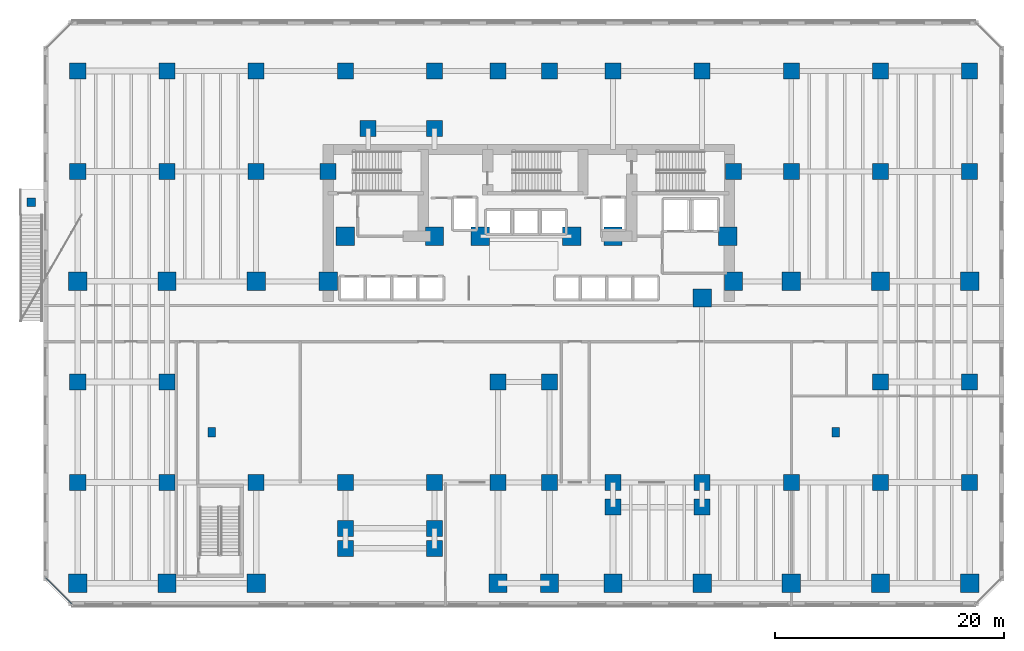
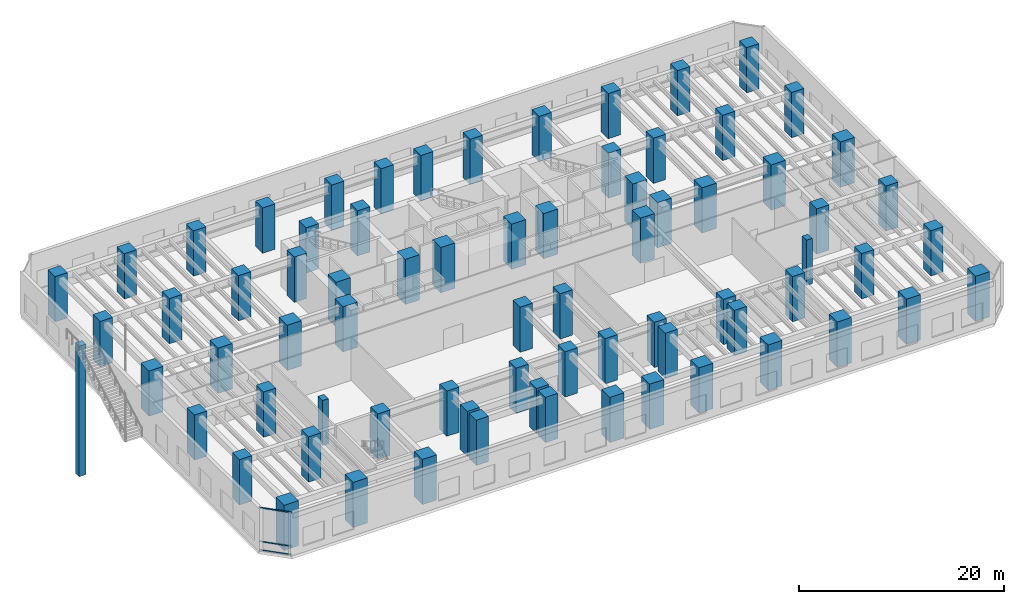
# One storey, part 1 of 21: 74 columns, 3 members, 1 element without a shape of its own.
"""IFC4 building model written with IfcOpenShell, lengths in metres."""

import ifcopenshell
import ifcopenshell.guid

model = None  # the IFC model being written
_history = None  # IfcOwnerHistory: only IFC2X3 demands one
_inside = {}  # id of a spatial element -> (the spatial element, [elements in it])
_under = {}  # id of a project, library or spatial element -> (it, [spatial elements below it])
_declared = {}  # id of a project -> (the project, [libraries it declares])
_typed = {}  # id of a type object -> (the type object, [elements of that type])
_made_of = {}  # id of a material, layer set ... -> (it, [elements and type objects made of it])


def new_model(schema):
    """Start an empty IFC model of exactly this schema.

    Asked for "IFC4X3", IfcOpenShell would pick the latest addendum, in which some entities
    have other attributes; the version numbers below select the first issue.
    IFC2X3 requires an IfcOwnerHistory on every rooted entity: one is made here for all.
    """
    global model, _history
    if schema == "IFC4X3":
        model = ifcopenshell.file(schema_version=(4, 3, 0, 0))
    else:
        model = ifcopenshell.file(schema=schema)
    _inside.clear()
    _under.clear()
    _declared.clear()
    _typed.clear()
    _made_of.clear()
    _history = None
    if model.schema == "IFC2X3":
        org = make("IfcOrganization", Name="unknown")
        user = make(
            "IfcPersonAndOrganization",
            ThePerson=make("IfcPerson", FamilyName="unknown"),
            TheOrganization=org,
        )
        app = make(
            "IfcApplication",
            ApplicationDeveloper=org,
            Version="unknown",
            ApplicationFullName="unknown",
            ApplicationIdentifier="unknown",
        )
        _history = make(
            "IfcOwnerHistory",
            OwningUser=user,
            OwningApplication=app,
            ChangeAction="ADDED",
            CreationDate=0,
        )
    return model


def make(cls, **values):
    """One entity of the class cls with the attributes given. An attribute that is None is left unset."""
    return model.create_entity(
        cls, **{name: value for name, value in values.items() if value is not None}
    )


def rooted(cls, **values):
    """An entity with a GlobalId (a new one), such as an element, a storey or a relation."""
    return make(cls, GlobalId=ifcopenshell.guid.new(), OwnerHistory=_history, **values)


def si_unit(unit_type, name, prefix=None):
    """IfcSIUnit, for example si_unit("LENGTHUNIT", "METRE", prefix="MILLI")."""
    return make("IfcSIUnit", UnitType=unit_type, Prefix=prefix, Name=name)


def assignment(units):
    """IfcUnitAssignment: the units of a project."""
    return None if units is None else make("IfcUnitAssignment", Units=units)


def point(xyz):
    """IfcCartesianPoint."""
    return None if xyz is None else make("IfcCartesianPoint", Coordinates=xyz)


def direction(xyz):
    """IfcDirection."""
    return None if xyz is None else make("IfcDirection", DirectionRatios=xyz)


def frame(location, z_axis=None, x_axis=None):
    """IfcAxis2Placement3D, a coordinate frame: its origin and axes. An axis left out is left unset."""
    return make(
        "IfcAxis2Placement3D",
        Location=point(location),
        Axis=direction(z_axis),
        RefDirection=direction(x_axis),
    )


def frame_2d(location, x_axis=None):
    """IfcAxis2Placement2D, a coordinate frame in the plane: its origin and x axis."""
    return make(
        "IfcAxis2Placement2D", Location=point(location), RefDirection=direction(x_axis)
    )


def origin():
    """The frame at (0, 0, 0) with its axes left unset."""
    return frame((0.0, 0.0, 0.0))


def origin_2d():
    """The frame at (0, 0) in the plane with its x axis left unset."""
    return frame_2d((0.0, 0.0))


def place(relative_to, where):
    """IfcLocalPlacement: puts the frame where relative to a parent placement (None: the world)."""
    return make(
        "IfcLocalPlacement", PlacementRelTo=relative_to, RelativePlacement=where
    )


def context(
    kind, dimensions, precision=None, world=None, true_north=None, identifier=None
):
    """IfcGeometricRepresentationContext, for example the 3D "Model" context."""
    return make(
        "IfcGeometricRepresentationContext",
        ContextIdentifier=identifier,
        ContextType=kind,
        CoordinateSpaceDimension=dimensions,
        Precision=precision,
        WorldCoordinateSystem=world,
        TrueNorth=true_north,
    )


def subcontext(parent, identifier, kind, view, scale=None):
    """IfcGeometricRepresentationSubContext, for example "Body" below "Model"."""
    return make(
        "IfcGeometricRepresentationSubContext",
        ContextIdentifier=identifier,
        ContextType=kind,
        ParentContext=parent,
        TargetScale=scale,
        TargetView=view,
    )


def project(units=None, contexts=None):
    """IfcProject with its units and contexts."""
    return rooted(
        "IfcProject",
        Name="project",
        RepresentationContexts=contexts,
        UnitsInContext=assignment(units),
    )


def spatial(cls, under=None, at=None, **own):
    """A site, building, storey or space (cls), placed at a placement, below another one or the project."""
    s = rooted(cls, ObjectPlacement=at, **own)
    if under is not None:
        _under.setdefault(under.id(), (under, []))[1].append(s)
    return s


def profile(cls, at=None, kind="AREA", **sizes):
    """A parametric profile (cls). Its sizes go by their IFC names, for example OverallWidth=200.0."""
    return make(cls, ProfileType=kind, Position=at, **sizes)


def rectangle(**sizes):
    """IfcRectangleProfileDef."""
    return profile("IfcRectangleProfileDef", **sizes)


def hollow_rectangle(**sizes):
    """IfcRectangleHollowProfileDef."""
    return profile("IfcRectangleHollowProfileDef", **sizes)


def extrude(swept, where, along, depth):
    """IfcExtrudedAreaSolid: the profile swept, set in the frame where, extruded along a direction by depth."""
    return make(
        "IfcExtrudedAreaSolid",
        SweptArea=swept,
        Position=where,
        ExtrudedDirection=direction(along),
        Depth=depth,
    )


def shape(context_of_items, identifier, shape_type, items):
    """IfcShapeRepresentation: the items that make up one representation, for example the "Body"."""
    return make(
        "IfcShapeRepresentation",
        ContextOfItems=context_of_items,
        RepresentationIdentifier=identifier,
        RepresentationType=shape_type,
        Items=items,
    )


def material(Name=None, Category=None):
    """IfcMaterial."""
    return make("IfcMaterial", Name=Name, Category=Category)


def layer(
    of_material, thickness, ventilated=None, Name=None, Category=None, Priority=None
):
    """IfcMaterialLayer: one layer of a wall or slab, of a material (None: an air gap)."""
    return make(
        "IfcMaterialLayer",
        Material=of_material,
        LayerThickness=thickness,
        IsVentilated=ventilated,
        Name=Name,
        Category=Category,
        Priority=Priority,
    )


def layer_set(layers, Name=None):
    """IfcMaterialLayerSet."""
    return make("IfcMaterialLayerSet", MaterialLayers=layers, LayerSetName=Name)


def material_profile(
    of_material, cross_section, Name=None, Category=None, Priority=None
):
    """IfcMaterialProfile: a cross section and its material."""
    return make(
        "IfcMaterialProfile",
        Name=Name,
        Material=of_material,
        Profile=cross_section,
        Priority=Priority,
        Category=Category,
    )


def profile_set(profiles, Name=None, composite=None):
    """IfcMaterialProfileSet."""
    return make(
        "IfcMaterialProfileSet",
        Name=Name,
        MaterialProfiles=profiles,
        CompositeProfile=composite,
    )


def made_of(thing, what):
    """Note that an element or type object is made of a material, layer set ...; save() writes the relation."""
    if what is not None:
        _made_of.setdefault(what.id(), (what, []))[1].append(thing)
    return thing


def type_object(cls, material=None, **own):
    """A type object (cls), such as IfcWallType, which elements share."""
    return made_of(rooted(cls, **own), material)


def element(
    cls,
    number,
    at=None,
    inside=None,
    cuts=None,
    type_object=None,
    material=None,
    context=None,
    identifier="Body",
    shape_type=None,
    held_by="IfcProductDefinitionShape",
    body=None,
    shapes=None,
    **own,
):
    """One element of the class cls, such as IfcWall. Its Tag is "e" and its number.

    at: its placement. inside: the storey or other place that contains it. cuts: it is an
    opening in that element (IfcRelVoidsElement). A single representation is given by context,
    identifier, shape_type and body (its items); several are given by shapes. held_by: the class
    of the entity that holds the representations. save() writes the other relations.
    """
    e = rooted(cls, Tag="e%d" % number, ObjectPlacement=at, **own)
    if body is not None:
        shapes = [shape(context, identifier, shape_type, body)]
    if shapes is not None:
        e.Representation = make(held_by, Representations=shapes)
    if inside is not None:
        _inside.setdefault(inside.id(), (inside, []))[1].append(e)
    if cuts is not None:
        rooted(
            "IfcRelVoidsElement", RelatingBuildingElement=cuts, RelatedOpeningElement=e
        )
    if type_object is not None:
        _typed.setdefault(type_object.id(), (type_object, []))[1].append(e)
    return made_of(e, material)


def aggregate(whole, parts):
    """IfcRelAggregates: a whole, such as a stair, and the parts it consists of."""
    return rooted("IfcRelAggregates", RelatingObject=whole, RelatedObjects=parts)


def save(model, path):
    """Write the relations noted so far, then the file.

    IfcRelAggregates (storeys below a building ...), IfcRelContainedInSpatialStructure (elements
    in a storey), IfcRelDefinesByType, IfcRelAssociatesMaterial and IfcRelDeclares: one each for
    every whole, place, type object, material and project.
    """
    for whole, parts in _under.values():
        aggregate(whole, parts)
    for where, things in _inside.values():
        rooted(
            "IfcRelContainedInSpatialStructure",
            RelatedElements=things,
            RelatingStructure=where,
        )
    for kind, things in _typed.values():
        rooted("IfcRelDefinesByType", RelatedObjects=things, RelatingType=kind)
    for what, things in _made_of.values():
        rooted("IfcRelAssociatesMaterial", RelatedObjects=things, RelatingMaterial=what)
    for by, libraries in _declared.values():
        rooted("IfcRelDeclares", RelatingContext=by, RelatedDefinitions=libraries)
    model.write(path)


model = new_model("IFC4")

# Units and contexts
model_context = context("Model", 3, precision=1e-05, world=origin(), true_north=direction((0.0, 1.0)))
body_context = subcontext(model_context, "Body", "Model", "MODEL_VIEW")
ifc_project = project(units=[si_unit("LENGTHUNIT", "METRE"), si_unit("AREAUNIT", "SQUARE_METRE"), si_unit("VOLUMEUNIT", "CUBIC_METRE"), si_unit("PLANEANGLEUNIT", "RADIAN"), si_unit("MASSUNIT", "GRAM", prefix="KILO")], contexts=[model_context])

# Site, building, storey
site_placement = place(None, origin())
site = spatial("IfcSite", under=ifc_project, at=site_placement, CompositionType="ELEMENT")
building_placement = place(site_placement, origin())
building = spatial("IfcBuilding", under=site, at=building_placement, Name="Kestravale Grand Hotel", CompositionType="ELEMENT")
storey_placement = place(building_placement, frame((0.0, 0.0, 10.39990234375)))
storey = spatial("IfcBuildingStorey", under=building, at=storey_placement, Name="L02", CompositionType="ELEMENT", Elevation=10.39990234375)

# Columns
ifc_material_1 = material(Name="Concrete f'c 70 MPa", Category="concrete")
ifc_material_profile_1 = material_profile(ifc_material_1, rectangle(XDim=1.39990234375, YDim=1.39990234375, at=origin_2d()))
ifc_profile_set_1 = profile_set([ifc_material_profile_1], Name="Concrete f'c 70 MPa")
column_type_1 = type_object("IfcColumnType", Name="C-Z1-1400", PredefinedType="COLUMN", material=ifc_profile_set_1)
for number, where, z_axis, x_axis, name in (
    (1, (0.0, 11.199951171875, 0.0), (0.0, 0.0, 1.0), (1.0, 0.0, 0.0), "L02 column 1-C"),
    (2, (0.0, 20.0, 0.0), (0.0, 0.0, 1.0), (1.0, 0.0, 0.0), "L02 column 1-D"),
    (3, (0.0, 38.39990234375, 0.0), (0.0, 0.0, 1.0), (1.0, 0.0, 0.0), "L02 column 1-F"),
    (4, (0.0, 47.199951171875, 0.0), (0.0, 0.0, 1.0), (1.0, 0.0, 0.0), "L02 column 1-G"),
    (5, (7.800048828125, 11.199951171875, 0.0), (0.0, 0.0, 1.0), (1.0, 0.0, 0.0), "L02 column 2-C"),
    (6, (7.800048828125, 20.0, 0.0), (0.0, 0.0, 1.0), (1.0, 0.0, 0.0), "L02 column 2-D"),
    (7, (7.800048828125, 38.39990234375, 0.0), (0.0, 0.0, 1.0), (1.0, 0.0, 0.0), "L02 column 2-F"),
    (8, (7.800048828125, 47.199951171875, 0.0), (0.0, 0.0, 1.0), (1.0, 0.0, 0.0), "L02 column 2-G"),
    (9, (15.60009765625, 11.199951171875, 0.0), (0.0, 0.0, 1.0), (1.0, 0.0, 0.0), "L02 column 3-C"),
    (10, (15.60009765625, 38.39990234375, 0.0), (0.0, 0.0, 1.0), (1.0, 0.0, 0.0), "L02 column 3-F"),
    (11, (15.60009765625, 47.199951171875, 0.0), (0.0, 0.0, 1.0), (1.0, 0.0, 0.0), "L02 column 3-G"),
    (12, (23.39990234375, 11.199951171875, 0.0), (0.0, 0.0, 1.0), (1.0, 0.0, 0.0), "L02 column 4-C"),
    (13, (23.39990234375, 47.199951171875, 0.0), (0.0, 0.0, 1.0), (1.0, 0.0, 0.0), "L02 column 4-G"),
    (14, (31.199951171875, 11.199951171875, 0.0), (0.0, 0.0, 1.0), (1.0, 0.0, 0.0), "L02 column 5-C"),
    (15, (31.199951171875, 47.199951171875, 0.0), (0.0, 0.0, 1.0), (1.0, 0.0, 0.0), "L02 column 5-G"),
    (16, (36.75, 11.199951171875, 0.0), (0.0, 0.0, 1.0), (1.0, 0.0, 0.0), "L02 column 6-C"),
    (17, (36.75, 20.0, 0.0), (0.0, 0.0, 1.0), (1.0, 0.0, 0.0), "L02 column 6-D"),
    (18, (36.75, 47.199951171875, 0.0), (0.0, 0.0, 1.0), (1.0, 0.0, 0.0), "L02 column 6-G"),
    (19, (41.25, 11.199951171875, 0.0), (0.0, 0.0, 1.0), (1.0, 0.0, 0.0), "L02 column 7-C"),
    (20, (41.25, 20.0, 0.0), (0.0, 0.0, 1.0), (1.0, 0.0, 0.0), "L02 column 7-D"),
    (21, (41.25, 47.199951171875, 0.0), (0.0, 0.0, 1.0), (1.0, 0.0, 0.0), "L02 column 7-G"),
    (22, (46.800048828125, 11.199951171875, 0.0), (0.0, 0.0, 1.0), (1.0, 0.0, 0.0), "L02 column 8-C"),
    (23, (46.800048828125, 47.199951171875, 0.0), (0.0, 0.0, 1.0), (1.0, 0.0, 0.0), "L02 column 8-G"),
    (24, (54.60009765625, 11.199951171875, 0.0), (0.0, 0.0, 1.0), (1.0, 0.0, 0.0), "L02 column 9-C"),
    (25, (54.60009765625, 47.199951171875, 0.0), (0.0, 0.0, 1.0), (1.0, 0.0, 0.0), "L02 column 9-G"),
    (26, (62.39990234375, 11.199951171875, 0.0), (0.0, 0.0, 1.0), (1.0, 0.0, 0.0), "L02 column 10-C"),
    (27, (62.39990234375, 38.39990234375, 0.0), (0.0, 0.0, 1.0), (1.0, 0.0, 0.0), "L02 column 10-F"),
    (28, (62.39990234375, 47.199951171875, 0.0), (0.0, 0.0, 1.0), (1.0, 0.0, 0.0), "L02 column 10-G"),
    (29, (70.199951171875, 11.199951171875, 0.0), (0.0, 0.0, 1.0), (1.0, 0.0, 0.0), "L02 column 11-C"),
    (30, (70.199951171875, 20.0, 0.0), (0.0, 0.0, 1.0), (1.0, 0.0, 0.0), "L02 column 11-D"),
    (31, (70.199951171875, 38.39990234375, 0.0), (0.0, 0.0, 1.0), (1.0, 0.0, 0.0), "L02 column 11-F"),
    (32, (70.199951171875, 47.199951171875, 0.0), (0.0, 0.0, 1.0), (1.0, 0.0, 0.0), "L02 column 11-G"),
    (33, (78.0, 11.199951171875, 0.0), (0.0, 0.0, 1.0), (1.0, 0.0, 0.0), "L02 column 12-C"),
    (34, (78.0, 20.0, 0.0), (0.0, 0.0, 1.0), (1.0, 0.0, 0.0), "L02 column 12-D"),
    (35, (78.0, 38.39990234375, 0.0), (0.0, 0.0, 1.0), (1.0, 0.0, 0.0), "L02 column 12-F"),
    (36, (78.0, 47.199951171875, 0.0), (0.0, 0.0, 1.0), (1.0, 0.0, 0.0), "L02 column 12-G"),
    (37, (21.89990234375, 38.39990234375, 0.0), (0.0, 0.0, 1.0), (1.0, 0.0, 0.0), "L02 column CW-F"),
    (38, (57.35009765625, 38.39990234375, 0.0), (0.0, 0.0, 1.0), (1.0, 0.0, 0.0), "L02 column CE-F"),
    (39, (23.39990234375, 7.199951171875, 0.0), (0.0, 0.0, 1.0), (1.0, 0.0, 0.0), "L02 column 4-BS"),
    (40, (31.199951171875, 7.199951171875, 0.0), (0.0, 0.0, 1.0), (1.0, 0.0, 0.0), "L02 column 5-BS"),
    (41, (25.39990234375, 42.14990234375, 0.0), (0.0, 0.0, 1.0), (1.0, 0.0, 0.0), "L02 column 4-FN"),
    (42, (31.199951171875, 42.14990234375, 0.0), (0.0, 0.0, 1.0), (1.0, 0.0, 0.0), "L02 column 5-FN"),
    (43, (23.39990234375, 5.449951171875, 0.0), (0.0, 0.0, 1.0), (1.0, 0.0, 0.0), "L02 column 4-B1S"),
    (44, (31.199951171875, 5.449951171875, 0.0), (0.0, 0.0, 1.0), (1.0, 0.0, 0.0), "L02 column 5-B1S"),
    (45, (46.800048828125, 9.050048828125, 0.0), (0.0, 0.0, 1.0), (1.0, 0.0, 0.0), "L02 column 8-B1E"),
    (46, (54.60009765625, 9.050048828125, 0.0), (0.0, 0.0, 1.0), (1.0, 0.0, 0.0), "L02 column 9-B1E"),
):
    element("IfcColumn", number, at=place(storey_placement, frame(where, z_axis=z_axis, x_axis=x_axis)), inside=storey, type_object=column_type_1, Name=name, PredefinedType="COLUMN", context=body_context, shape_type="SweptSolid", body=[
        extrude(rectangle(XDim=1.39990234375, YDim=1.39990234375, at=origin_2d()), origin(), (0.0, 0.0, 1.0), 5.400146484375),
    ])
ifc_material_2 = material(Name="Concrete f'c 70 MPa", Category="concrete")
ifc_material_profile_2 = material_profile(ifc_material_2, rectangle(XDim=1.60009765625, YDim=1.60009765625, at=origin_2d()))
ifc_profile_set_2 = profile_set([ifc_material_profile_2], Name="Concrete f'c 70 MPa")
column_type_2 = type_object("IfcColumnType", Name="C-Z1-1600", PredefinedType="COLUMN", material=ifc_profile_set_2)
for number, where, z_axis, x_axis, name in (
    (47, (0.0, 2.39990234375, 0.0), (0.0, 0.0, 1.0), (1.0, 0.0, 0.0), "L02 column 1-B"),
    (48, (0.0, 28.800048828125, 0.0), (0.0, 0.0, 1.0), (1.0, 0.0, 0.0), "L02 column 1-E"),
    (49, (7.800048828125, 2.39990234375, 0.0), (0.0, 0.0, 1.0), (1.0, 0.0, 0.0), "L02 column 2-B"),
    (50, (7.800048828125, 28.800048828125, 0.0), (0.0, 0.0, 1.0), (1.0, 0.0, 0.0), "L02 column 2-E"),
    (51, (15.60009765625, 2.39990234375, 0.0), (0.0, 0.0, 1.0), (1.0, 0.0, 0.0), "L02 column 3-B"),
    (52, (15.60009765625, 28.800048828125, 0.0), (0.0, 0.0, 1.0), (1.0, 0.0, 0.0), "L02 column 3-E"),
    (53, (36.75, 2.39990234375, 0.0), (0.0, 0.0, 1.0), (1.0, 0.0, 0.0), "L02 column 6-B"),
    (54, (41.25, 2.39990234375, 0.0), (0.0, 0.0, 1.0), (1.0, 0.0, 0.0), "L02 column 7-B"),
    (55, (46.800048828125, 2.39990234375, 0.0), (0.0, 0.0, 1.0), (1.0, 0.0, 0.0), "L02 column 8-B"),
    (56, (54.60009765625, 2.39990234375, 0.0), (0.0, 0.0, 1.0), (1.0, 0.0, 0.0), "L02 column 9-B"),
    (57, (62.39990234375, 2.39990234375, 0.0), (0.0, 0.0, 1.0), (1.0, 0.0, 0.0), "L02 column 10-B"),
    (58, (62.39990234375, 28.800048828125, 0.0), (0.0, 0.0, 1.0), (1.0, 0.0, 0.0), "L02 column 10-E"),
    (59, (70.199951171875, 2.39990234375, 0.0), (0.0, 0.0, 1.0), (1.0, 0.0, 0.0), "L02 column 11-B"),
    (60, (70.199951171875, 28.800048828125, 0.0), (0.0, 0.0, 1.0), (1.0, 0.0, 0.0), "L02 column 11-E"),
    (61, (78.0, 2.39990234375, 0.0), (0.0, 0.0, 1.0), (1.0, 0.0, 0.0), "L02 column 12-B"),
    (62, (78.0, 28.800048828125, 0.0), (0.0, 0.0, 1.0), (1.0, 0.0, 0.0), "L02 column 12-E"),
    (63, (21.89990234375, 28.800048828125, 0.0), (0.0, 0.0, 1.0), (1.0, 0.0, 0.0), "L02 column CW-E"),
    (64, (57.35009765625, 28.800048828125, 0.0), (0.0, 0.0, 1.0), (1.0, 0.0, 0.0), "L02 column CE-E"),
    (65, (23.39990234375, 32.75, 0.0), (0.0, 0.0, 1.0), (1.0, 0.0, 0.0), "L02 column 4-CS"),
    (66, (31.199951171875, 32.75, 0.0), (0.0, 0.0, 1.0), (1.0, 0.0, 0.0), "L02 column 5-CS"),
    (67, (35.199951171875, 32.75, 0.0), (0.0, 0.0, 1.0), (1.0, 0.0, 0.0), "L02 column 6C-CS"),
    (68, (43.199951171875, 32.75, 0.0), (0.0, 0.0, 1.0), (1.0, 0.0, 0.0), "L02 column 7C-CS"),
    (69, (46.800048828125, 32.75, 0.0), (0.0, 0.0, 1.0), (1.0, 0.0, 0.0), "L02 column 8-CS"),
    (70, (54.60009765625, 27.35009765625, 0.0), (0.0, 0.0, 1.0), (1.0, 0.0, 0.0), "L02 column 9-CS"),
    (71, (56.85009765625, 32.75, 0.0), (0.0, 0.0, 1.0), (1.0, 0.0, 0.0), "L02 column 9C-CS"),
):
    element("IfcColumn", number, at=place(storey_placement, frame(where, z_axis=z_axis, x_axis=x_axis)), inside=storey, type_object=column_type_2, Name=name, PredefinedType="COLUMN", context=body_context, shape_type="SweptSolid", body=[
        extrude(rectangle(XDim=1.60009765625, YDim=1.60009765625, at=origin_2d()), origin(), (0.0, 0.0, 1.0), 5.400146484375),
    ])
ifc_material_3 = material(Name="Precast concrete f'c 45 MPa", Category="concrete")
ifc_material_profile_3 = material_profile(ifc_material_3, rectangle(XDim=0.64990234375, YDim=0.85009765625, at=origin_2d()))
ifc_profile_set_3 = profile_set([ifc_material_profile_3], Name="Precast concrete f'c 45 MPa")
column_type_3 = type_object("IfcColumnType", Name="C-Z1-PIL850", PredefinedType="PILASTER", material=ifc_profile_set_3)
for number, where, z_axis, x_axis, name in (
    (72, (11.699951171875, 15.60009765625, 0.0), (0.0, 0.0, 1.0), (1.0, 0.0, 0.0), "L02 Art Deco fluted pilaster P1"),
    (73, (66.300048828125, 15.60009765625, 0.0), (0.0, 0.0, 1.0), (1.0, 0.0, 0.0), "L02 Art Deco fluted pilaster P2"),
):
    element("IfcColumn", number, at=place(storey_placement, frame(where, z_axis=z_axis, x_axis=x_axis)), inside=storey, type_object=column_type_3, Name=name, PredefinedType="PILASTER", context=body_context, shape_type="SweptSolid", body=[
        extrude(rectangle(XDim=0.64990234375, YDim=0.85009765625, at=origin_2d()), origin(), (0.0, 0.0, 1.0), 5.400146484375),
    ])
ifc_material_4 = material(Name="Concrete f'c 50 MPa", Category="concrete")
ifc_material_profile_4 = material_profile(ifc_material_4, rectangle(XDim=0.75, YDim=0.75, at=origin_2d()))
ifc_profile_set_4 = profile_set([ifc_material_profile_4], Name="Concrete f'c 50 MPa")
column_type_4 = type_object("IfcColumnType", Name="C-Z4-750", PredefinedType="COLUMN", material=ifc_profile_set_4)
column_placement = place(storey_placement, frame((-4.050048828125, 35.719970703125, -10.39990234375), z_axis=(0.0, 0.0, 1.0), x_axis=(1.0, 0.0, 0.0)))
element("IfcColumn", 74, at=column_placement, inside=storey, type_object=column_type_4, Name="Garden stair 3 pier column", PredefinedType="COLUMN", context=body_context, shape_type="SweptSolid", body=[
    extrude(rectangle(XDim=0.75, YDim=0.75, at=origin_2d()), origin(), (0.0, 0.0, 1.0), 15.550048828125),
])

# Curtain wall, members
ifc_material_5 = material(Name="Thermally broken champagne-bronze aluminium and low-E glazing", Category="aluminium")
ifc_layer = layer(ifc_material_5, 0.239990234375)
ifc_layer_set = layer_set([ifc_layer], Name="CW-POD")
curtain_wall_type = type_object("IfcCurtainWallType", Name="CW-POD", PredefinedType="NOTDEFINED", material=ifc_layer_set)
curtain_wall_placement = place(storey_placement, origin())
curtain_wall = element("IfcCurtainWall", 75, at=curtain_wall_placement, inside=storey, type_object=curtain_wall_type, Name="L02 unitised curtain wall 8", PredefinedType="NOTDEFINED")
ifc_material_6 = material(Name="Aluminium 6063-T6 anodised", Category="aluminium")
ifc_material_profile_5 = material_profile(ifc_material_6, hollow_rectangle(XDim=0.074951171875, YDim=0.139892578125, WallThickness=0.00341796875, at=origin_2d()))
ifc_profile_set_5 = profile_set([ifc_material_profile_5], Name="Aluminium 6063-T6 anodised")
member_type = type_object("IfcMemberType", Name="CW-TRN-140", PredefinedType="USERDEFINED", material=ifc_profile_set_5)
member_1_placement = place(storey_placement, frame((-2.819580078125, 2.888427734375, 0.03759765625), z_axis=(0.707069380992, -0.707144179403, 0.0), x_axis=(0.707144179403, 0.707069380992, 0.0)))
member_1 = element("IfcMember", 76, at=member_1_placement, type_object=member_type, Name="CW-POD transom 1.1", ObjectType="TRANSOM", PredefinedType="USERDEFINED", context=body_context, shape_type="SweptSolid", body=[
    extrude(hollow_rectangle(XDim=0.074951171875, YDim=0.139892578125, WallThickness=0.00341796875, at=origin_2d()), origin(), (0.0, 0.0, 1.0), 3.263916015625),
])
member_2_placement = place(storey_placement, frame((-2.819580078125, 2.888427734375, 1.050048828125), z_axis=(0.707069380992, -0.707144179403, 0.0), x_axis=(0.707144179403, 0.707069380992, 0.0)))
member_2 = element("IfcMember", 77, at=member_2_placement, type_object=member_type, Name="CW-POD transom 1.2", ObjectType="TRANSOM", PredefinedType="USERDEFINED", context=body_context, shape_type="SweptSolid", body=[
    extrude(hollow_rectangle(XDim=0.074951171875, YDim=0.139892578125, WallThickness=0.00341796875, at=origin_2d()), origin(), (0.0, 0.0, 1.0), 3.263916015625),
])
member_3_placement = place(storey_placement, frame((-2.819580078125, 2.888427734375, 5.0625), z_axis=(0.707069380992, -0.707144179403, 0.0), x_axis=(0.707144179403, 0.707069380992, 0.0)))
member_3 = element("IfcMember", 78, at=member_3_placement, type_object=member_type, Name="CW-POD transom 1.3", ObjectType="TRANSOM", PredefinedType="USERDEFINED", context=body_context, shape_type="SweptSolid", body=[
    extrude(hollow_rectangle(XDim=0.074951171875, YDim=0.139892578125, WallThickness=0.00341796875, at=origin_2d()), origin(), (0.0, 0.0, 1.0), 3.263916015625),
])
aggregate(curtain_wall, [member_1, member_2, member_3])

save(model, "model.ifc")
